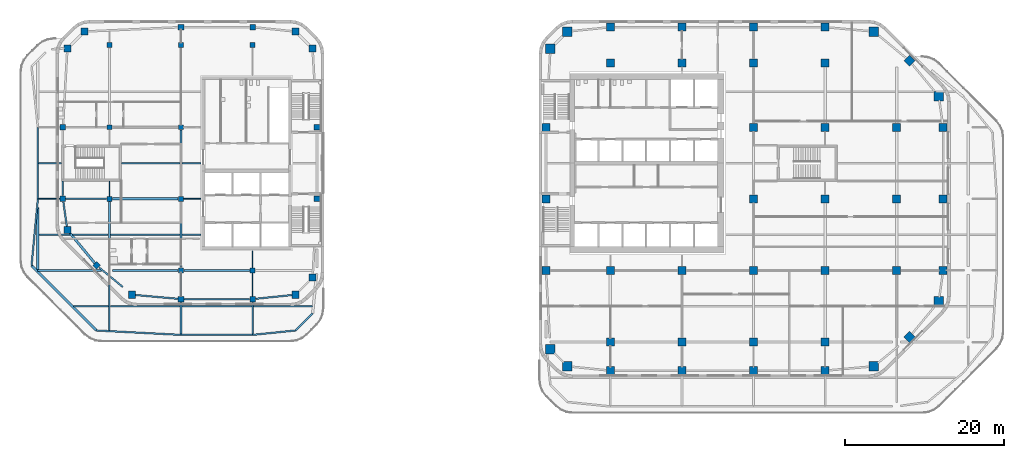
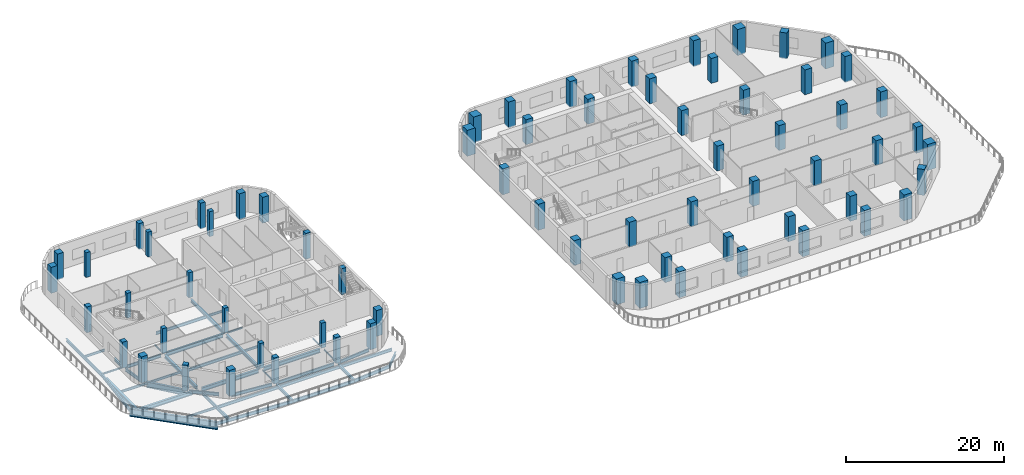
# One storey, part 1 of 15: 69 columns, 43 beams.
"""IFC4 building model written with IfcOpenShell, lengths in metres."""

from ifc_helpers import new_model, si_unit, direction, frame, origin, origin_2d, place, context, subcontext, project, spatial, rectangle, i_section, extrude, material, material_profile, profile_set, type_object, element, save


model = new_model("IFC4")

# Units and contexts
model_context = context("Model", 3, precision=1e-05, world=origin(), true_north=direction((0.0, 1.0)))
body_context = subcontext(model_context, "Body", "Model", "MODEL_VIEW")
ifc_project = project(units=[si_unit("LENGTHUNIT", "METRE"), si_unit("AREAUNIT", "SQUARE_METRE"), si_unit("VOLUMEUNIT", "CUBIC_METRE"), si_unit("PLANEANGLEUNIT", "RADIAN"), si_unit("MASSUNIT", "GRAM", prefix="KILO")], contexts=[model_context])

# Site, building, storey
site_placement = place(None, origin())
site = spatial("IfcSite", under=ifc_project, at=site_placement, CompositionType="ELEMENT")
building_placement = place(site_placement, origin())
building = spatial("IfcBuilding", under=site, at=building_placement, Name="Cinnabar Reach Civic Tower", CompositionType="ELEMENT")
storey_placement = place(building_placement, frame((0.0, 0.0, 100.0)))
storey = spatial("IfcBuildingStorey", under=building, at=storey_placement, Name="L23", CompositionType="ELEMENT", Elevation=100.0)

# Columns
ifc_material_1 = material(Name="Concrete C70", Category="concrete")
ifc_material_profile_1 = material_profile(ifc_material_1, rectangle(XDim=1.0, YDim=1.0, at=origin_2d()), Name="RC1000")
ifc_profile_set_1 = profile_set([ifc_material_profile_1], Name="Concrete C70")
column_type_1 = type_object("IfcColumnType", Name="RC1000 column R 240", PredefinedType="COLUMN", material=ifc_profile_set_1)
for number, where, z_axis, x_axis, name in (
    (1, (9.0, 5.4, -0.15), (0.0, 0.0, 1.0), (1.0, 0.0, 0.0), "Column T1-Z2-F0-1"),
    (2, (18.0, 5.4, -0.15), (0.0, 0.0, 1.0), (1.0, 0.0, 0.0), "Column T1-Z2-F0-2"),
    (3, (27.0, 5.4, -0.15), (0.0, 0.0, 1.0), (1.0, 0.0, 0.0), "Column T1-Z2-F0-3"),
    (4, (36.0, 5.4, -0.15), (0.0, 0.0, 1.0), (1.0, 0.0, 0.0), "Column T1-Z2-F0-4"),
    (5, (46.6136, 9.6364, -0.15), (0.0, 0.0, 1.0), (0.707106781187, 0.707106781187, 0.0), "Column T1-Z2-F1-M"),
    (6, (50.85, 18.0, -0.15), (0.0, 0.0, 1.0), (1.0, 0.0, 0.0), "Column T1-Z2-F2-2"),
    (7, (50.85, 27.0, -0.15), (0.0, 0.0, 1.0), (1.0, 0.0, 0.0), "Column T1-Z2-F2-3"),
    (8, (50.85, 36.0, -0.15), (0.0, 0.0, 1.0), (1.0, 0.0, 0.0), "Column T1-Z2-F2-4"),
    (9, (46.6136, 44.3636, -0.15), (0.0, 0.0, 1.0), (0.707106781187, 0.707106781187, 0.0), "Column T1-Z2-F3-M"),
    (10, (9.0, 48.6, -0.15), (0.0, 0.0, 1.0), (1.0, 0.0, 0.0), "Column T1-Z2-F4-1"),
    (11, (18.0, 48.6, -0.15), (0.0, 0.0, 1.0), (1.0, 0.0, 0.0), "Column T1-Z2-F4-2"),
    (12, (27.0, 48.6, -0.15), (0.0, 0.0, 1.0), (1.0, 0.0, 0.0), "Column T1-Z2-F4-3"),
    (13, (36.0, 48.6, -0.15), (0.0, 0.0, 1.0), (1.0, 0.0, 0.0), "Column T1-Z2-F4-4"),
):
    element("IfcColumn", number, at=place(storey_placement, frame(where, z_axis=z_axis, x_axis=x_axis)), inside=storey, type_object=column_type_1, Name=name, PredefinedType="COLUMN", context=body_context, shape_type="SweptSolid", body=[
        extrude(rectangle(XDim=1.0, YDim=1.0, at=origin_2d()), origin(), (0.0, 0.0, 1.0), 4.0),
    ])
column_placement = place(storey_placement, frame((0.9, 18.0, 0.0), z_axis=(0.0, 0.0, 1.0), x_axis=(1.0, 0.0, 0.0)))
element("IfcColumn", 14, at=column_placement, inside=storey, type_object=column_type_1, Name="Column T1-Z2-F6-2", PredefinedType="COLUMN", context=body_context, shape_type="SweptSolid", body=[
    extrude(rectangle(XDim=1.0, YDim=1.0, at=origin_2d()), origin(), (0.0, 0.0, 1.0), 3.85),
])
for number, where, z_axis, x_axis, name in (
    (15, (0.9, 27.0, 0.0), (0.0, 0.0, 1.0), (1.0, 0.0, 0.0), "Column T1-Z2-F6-3"),
    (16, (0.9, 36.0, 0.0), (0.0, 0.0, 1.0), (1.0, 0.0, 0.0), "Column T1-Z2-F6-4"),
):
    element("IfcColumn", number, at=place(storey_placement, frame(where, z_axis=z_axis, x_axis=x_axis)), inside=storey, type_object=column_type_1, Name=name, PredefinedType="COLUMN", context=body_context, shape_type="SweptSolid", body=[
        extrude(rectangle(XDim=1.0, YDim=1.0, at=origin_2d()), origin(), (0.0, 0.0, 1.0), 4.0),
    ])
for number, where, z_axis, x_axis, name in (
    (17, (9.0, 9.0, 0.0), (0.0, 0.0, 1.0), (1.0, 0.0, 0.0), "Column T1-Z2-I9_9"),
    (18, (9.0, 18.0, 0.0), (0.0, 0.0, 1.0), (1.0, 0.0, 0.0), "Column T1-Z2-I9_18"),
    (19, (9.0, 44.1, 0.0), (0.0, 0.0, 1.0), (1.0, 0.0, 0.0), "Column T1-Z2-I9_45"),
    (20, (18.0, 9.0, 0.0), (0.0, 0.0, 1.0), (1.0, 0.0, 0.0), "Column T1-Z2-I18_9"),
    (21, (18.0, 18.0, 0.0), (0.0, 0.0, 1.0), (1.0, 0.0, 0.0), "Column T1-Z2-I18_18"),
    (22, (18.0, 44.1, 0.0), (0.0, 0.0, 1.0), (1.0, 0.0, 0.0), "Column T1-Z2-I18_45"),
    (23, (27.0, 9.0, 0.0), (0.0, 0.0, 1.0), (1.0, 0.0, 0.0), "Column T1-Z2-I27_9"),
    (24, (27.0, 18.0, 0.0), (0.0, 0.0, 1.0), (1.0, 0.0, 0.0), "Column T1-Z2-I27_18"),
    (25, (27.0, 27.0, 0.0), (0.0, 0.0, 1.0), (1.0, 0.0, 0.0), "Column T1-Z2-I27_27"),
    (26, (27.0, 36.0, 0.0), (0.0, 0.0, 1.0), (1.0, 0.0, 0.0), "Column T1-Z2-I27_36"),
    (27, (27.0, 44.1, 0.0), (0.0, 0.0, 1.0), (1.0, 0.0, 0.0), "Column T1-Z2-I27_45"),
    (28, (36.0, 9.0, 0.0), (0.0, 0.0, 1.0), (1.0, 0.0, 0.0), "Column T1-Z2-I36_9"),
    (29, (36.0, 18.0, 0.0), (0.0, 0.0, 1.0), (1.0, 0.0, 0.0), "Column T1-Z2-I36_18"),
    (30, (36.0, 27.0, 0.0), (0.0, 0.0, 1.0), (1.0, 0.0, 0.0), "Column T1-Z2-I36_27"),
    (31, (36.0, 36.0, 0.0), (0.0, 0.0, 1.0), (1.0, 0.0, 0.0), "Column T1-Z2-I36_36"),
    (32, (36.0, 44.1, 0.0), (0.0, 0.0, 1.0), (1.0, 0.0, 0.0), "Column T1-Z2-I36_45"),
    (33, (45.0, 18.0, 0.0), (0.0, 0.0, 1.0), (1.0, 0.0, 0.0), "Column T1-Z2-I45_18"),
    (34, (45.0, 27.0, 0.0), (0.0, 0.0, 1.0), (1.0, 0.0, 0.0), "Column T1-Z2-I45_27"),
    (35, (45.0, 36.0, 0.0), (0.0, 0.0, 1.0), (1.0, 0.0, 0.0), "Column T1-Z2-I45_36"),
):
    element("IfcColumn", number, at=place(storey_placement, frame(where, z_axis=z_axis, x_axis=x_axis)), inside=storey, type_object=column_type_1, Name=name, PredefinedType="COLUMN", context=body_context, shape_type="SweptSolid", body=[
        extrude(rectangle(XDim=1.0, YDim=1.0, at=origin_2d()), origin(), (0.0, 0.0, 1.0), 3.85),
    ])
ifc_material_2 = material(Name="Concrete C80", Category="concrete")
ifc_material_profile_2 = material_profile(ifc_material_2, rectangle(XDim=1.2, YDim=1.2, at=origin_2d()), Name="RC1200")
ifc_profile_set_2 = profile_set([ifc_material_profile_2], Name="Concrete C80")
column_type_2 = type_object("IfcColumnType", Name="RC1200 column R 240", PredefinedType="COLUMN", material=ifc_profile_set_2)
for number, where, z_axis, x_axis, name in (
    (36, (3.6019, 5.9531, -0.15), (0.0, 0.0, 1.0), (1.0, 0.0, 0.0), "Column T1-Z2-CC0"),
    (37, (42.1481, 5.9531, -0.15), (0.0, 0.0, 1.0), (1.0, 0.0, 0.0), "Column T1-Z2-CC1"),
    (38, (50.2969, 14.1019, -0.15), (0.0, 0.0, 1.0), (1.0, 0.0, 0.0), "Column T1-Z2-CC2"),
    (39, (50.2969, 39.8981, -0.15), (0.0, 0.0, 1.0), (1.0, 0.0, 0.0), "Column T1-Z2-CC3"),
    (40, (42.1481, 48.0469, -0.15), (0.0, 0.0, 1.0), (1.0, 0.0, 0.0), "Column T1-Z2-CC4"),
    (41, (3.6019, 48.0469, -0.15), (0.0, 0.0, 1.0), (1.0, 0.0, 0.0), "Column T1-Z2-CC5"),
    (42, (1.4531, 45.8981, -0.15), (0.0, 0.0, 1.0), (1.0, 0.0, 0.0), "Column T1-Z2-CC6"),
    (43, (1.4531, 8.1019, -0.15), (0.0, 0.0, 1.0), (1.0, 0.0, 0.0), "Column T1-Z2-CC7"),
):
    element("IfcColumn", number, at=place(storey_placement, frame(where, z_axis=z_axis, x_axis=x_axis)), inside=storey, type_object=column_type_2, Name=name, PredefinedType="COLUMN", context=body_context, shape_type="SweptSolid", body=[
        extrude(rectangle(XDim=1.2, YDim=1.2, at=origin_2d()), origin(), (0.0, 0.0, 1.0), 4.0),
    ])
ifc_material_3 = material(Name="Concrete C60", Category="concrete")
ifc_material_profile_3 = material_profile(ifc_material_3, rectangle(XDim=0.6, YDim=0.6, at=origin_2d()), Name="RC600")
ifc_profile_set_3 = profile_set([ifc_material_profile_3], Name="Concrete C60")
column_type_3 = type_object("IfcColumnType", Name="RC600 column R 180", PredefinedType="COLUMN", material=ifc_profile_set_3)
for number, where, z_axis, x_axis, name in (
    (44, (-54.0, 27.0, 0.0), (0.0, 0.0, 1.0), (1.0, 0.0, 0.0), "Column T2-Z3-I-54_27"),
    (45, (-54.0, 36.0, 0.0), (0.0, 0.0, 1.0), (1.0, 0.0, 0.0), "Column T2-Z3-I-54_36"),
    (46, (-54.0, 46.35, 0.0), (0.0, 0.0, 1.0), (1.0, 0.0, 0.0), "Column T2-Z3-I-54_45"),
    (47, (-45.0, 18.0, 0.0), (0.0, 0.0, 1.0), (1.0, 0.0, 0.0), "Column T2-Z3-I-45_18"),
    (48, (-45.0, 27.0, 0.0), (0.0, 0.0, 1.0), (1.0, 0.0, 0.0), "Column T2-Z3-I-45_27"),
    (49, (-45.0, 36.0, 0.0), (0.0, 0.0, 1.0), (1.0, 0.0, 0.0), "Column T2-Z3-I-45_36"),
    (50, (-45.0, 46.35, 0.0), (0.0, 0.0, 1.0), (1.0, 0.0, 0.0), "Column T2-Z3-I-45_45"),
    (51, (-36.0, 18.0, 0.0), (0.0, 0.0, 1.0), (1.0, 0.0, 0.0), "Column T2-Z3-I-36_18"),
    (52, (-36.0, 46.35, 0.0), (0.0, 0.0, 1.0), (1.0, 0.0, 0.0), "Column T2-Z3-I-36_45"),
):
    element("IfcColumn", number, at=place(storey_placement, frame(where, z_axis=z_axis, x_axis=x_axis)), inside=storey, type_object=column_type_3, Name=name, PredefinedType="COLUMN", context=body_context, shape_type="SweptSolid", body=[
        extrude(rectangle(XDim=0.6, YDim=0.6, at=origin_2d()), origin(), (0.0, 0.0, 1.0), 3.85),
    ])
ifc_material_profile_4 = material_profile(ifc_material_3, rectangle(XDim=0.7, YDim=0.7, at=origin_2d()), Name="RC700")
ifc_profile_set_4 = profile_set([ifc_material_profile_4], Name="Concrete C60")
column_type_4 = type_object("IfcColumnType", Name="RC700 column R 180", PredefinedType="COLUMN", material=ifc_profile_set_4)
for number, where, z_axis, x_axis, name in (
    (53, (-45.0, 14.4, -0.15), (0.0, 0.0, 1.0), (1.0, 0.0, 0.0), "Column T2-Z3-F0--5"),
    (54, (-36.0, 14.4, -0.15), (0.0, 0.0, 1.0), (1.0, 0.0, 0.0), "Column T2-Z3-F0--4"),
    (55, (-27.9, 27.0, 0.0), (0.0, 0.0, 1.0), (1.0, 0.0, 0.0), "Column T2-Z3-F2-3"),
    (56, (-27.9, 36.0, 0.0), (0.0, 0.0, 1.0), (1.0, 0.0, 0.0), "Column T2-Z3-F2-4"),
    (57, (-45.0, 48.6, -0.15), (0.0, 0.0, 1.0), (1.0, 0.0, 0.0), "Column T2-Z3-F4--5"),
    (58, (-36.0, 48.6, -0.15), (0.0, 0.0, 1.0), (1.0, 0.0, 0.0), "Column T2-Z3-F4--4"),
    (59, (-59.85, 27.0, -0.15), (0.0, 0.0, 1.0), (1.0, 0.0, 0.0), "Column T2-Z3-F6-3"),
    (60, (-59.85, 36.0, -0.15), (0.0, 0.0, 1.0), (1.0, 0.0, 0.0), "Column T2-Z3-F6-4"),
    (61, (-55.6136, 18.6364, -0.15), (0.0, 0.0, 1.0), (0.707106781187, 0.707106781187, 0.0), "Column T2-Z3-F7-M"),
):
    element("IfcColumn", number, at=place(storey_placement, frame(where, z_axis=z_axis, x_axis=x_axis)), inside=storey, type_object=column_type_4, Name=name, PredefinedType="COLUMN", context=body_context, shape_type="SweptSolid", body=[
        extrude(rectangle(XDim=0.7, YDim=0.7, at=origin_2d()), origin(), (0.0, 0.0, 1.0), 4.0),
    ])
ifc_material_profile_5 = material_profile(ifc_material_1, rectangle(XDim=0.9, YDim=0.9, at=origin_2d()), Name="RC900")
ifc_profile_set_5 = profile_set([ifc_material_profile_5], Name="Concrete C70")
column_type_5 = type_object("IfcColumnType", Name="RC900 column R 180", PredefinedType="COLUMN", material=ifc_profile_set_5)
for number, where, z_axis, x_axis, name in (
    (62, (-51.1481, 14.9531, -0.15), (0.0, 0.0, 1.0), (1.0, 0.0, 0.0), "Column T2-Z3-CC0"),
    (63, (-30.6019, 14.9531, -0.15), (0.0, 0.0, 1.0), (1.0, 0.0, 0.0), "Column T2-Z3-CC1"),
    (64, (-28.4531, 17.1019, -0.15), (0.0, 0.0, 1.0), (1.0, 0.0, 0.0), "Column T2-Z3-CC2"),
    (65, (-28.4531, 45.8981, -0.15), (0.0, 0.0, 1.0), (1.0, 0.0, 0.0), "Column T2-Z3-CC3"),
    (66, (-30.6019, 48.0469, -0.15), (0.0, 0.0, 1.0), (1.0, 0.0, 0.0), "Column T2-Z3-CC4"),
    (67, (-57.1481, 48.0469, -0.15), (0.0, 0.0, 1.0), (1.0, 0.0, 0.0), "Column T2-Z3-CC5"),
    (68, (-59.2969, 45.8981, -0.15), (0.0, 0.0, 1.0), (1.0, 0.0, 0.0), "Column T2-Z3-CC6"),
    (69, (-59.2969, 23.1019, -0.15), (0.0, 0.0, 1.0), (1.0, 0.0, 0.0), "Column T2-Z3-CC7"),
):
    element("IfcColumn", number, at=place(storey_placement, frame(where, z_axis=z_axis, x_axis=x_axis)), inside=storey, type_object=column_type_5, Name=name, PredefinedType="COLUMN", context=body_context, shape_type="SweptSolid", body=[
        extrude(rectangle(XDim=0.9, YDim=0.9, at=origin_2d()), origin(), (0.0, 0.0, 1.0), 4.0),
    ])

# Beams
ifc_material_4 = material(Name="Steel Q355B", Category="steel")
ifc_material_profile_6 = material_profile(ifc_material_4, i_section(OverallWidth=0.3, OverallDepth=0.488, WebThickness=0.011, FlangeThickness=0.018, FilletRadius=0.016, at=origin_2d()), Name="HM488x300x11x18")
ifc_profile_set_6 = profile_set([ifc_material_profile_6], Name="Steel Q355B")
beam_type_1 = type_object("IfcBeamType", Name="HM488x300x11x18 beam R 120", PredefinedType="BEAM", material=ifc_profile_set_6)
beam_1_placement = place(storey_placement, frame((-63.0, 18.152, -0.394), z_axis=(0.0, 1.0, 0.0), x_axis=(-1.0, 0.0, 0.0)))
element("IfcBeam", 70, at=beam_1_placement, inside=storey, type_object=beam_type_1, Name="Girder T2 L23 1", PredefinedType="BEAM", context=body_context, shape_type="SweptSolid", body=[
    extrude(i_section(OverallWidth=0.3, OverallDepth=0.488, WebThickness=0.011, FlangeThickness=0.018, FilletRadius=0.016, at=origin_2d()), origin(), (0.0, 0.0, 1.0), 7.7682),
])
beam_2_placement = place(storey_placement, frame((-54.0, 18.4778, -0.394), z_axis=(0.0, 1.0, 0.0), x_axis=(-1.0, 0.0, 0.0)))
element("IfcBeam", 71, at=beam_2_placement, inside=storey, type_object=beam_type_1, Name="Girder T2 L23 4", PredefinedType="BEAM", context=body_context, shape_type="SweptSolid", body=[
    extrude(i_section(OverallWidth=0.3, OverallDepth=0.488, WebThickness=0.011, FlangeThickness=0.018, FilletRadius=0.016, at=origin_2d()), origin(), (0.0, 0.0, 1.0), 8.1702),
])
for number, where, z_axis, x_axis, name in (
    (72, (-45.0, 18.352, -0.394), (0.0, 1.0, 0.0), (-1.0, 0.0, 0.0), "Girder T2 L23 11"),
    (73, (-45.0, 27.352, -0.394), (0.0, 1.0, 0.0), (-1.0, 0.0, 0.0), "Girder T2 L23 12"),
):
    element("IfcBeam", number, at=place(storey_placement, frame(where, z_axis=z_axis, x_axis=x_axis)), inside=storey, type_object=beam_type_1, Name=name, PredefinedType="BEAM", context=body_context, shape_type="SweptSolid", body=[
        extrude(i_section(OverallWidth=0.3, OverallDepth=0.488, WebThickness=0.011, FlangeThickness=0.018, FilletRadius=0.016, at=origin_2d()), origin(), (0.0, 0.0, 1.0), 8.296),
    ])
ifc_material_profile_7 = material_profile(ifc_material_4, i_section(OverallWidth=0.3, OverallDepth=0.588, WebThickness=0.012, FlangeThickness=0.02, FilletRadius=0.016, at=origin_2d()), Name="HM588x300x12x20")
ifc_profile_set_7 = profile_set([ifc_material_profile_7], Name="Steel Q355B")
beam_type_2 = type_object("IfcBeamType", Name="HM588x300x12x20 beam R 120", PredefinedType="BEAM", material=ifc_profile_set_7)
beam_3_placement = place(storey_placement, frame((-63.0508, 18.0, -0.444), z_axis=(1.0, 0.0, 0.0), x_axis=(0.0, 1.0, 0.0)))
element("IfcBeam", 74, at=beam_3_placement, inside=storey, type_object=beam_type_2, Name="Girder T2 L23 1", PredefinedType="BEAM", context=body_context, shape_type="SweptSolid", body=[
    extrude(i_section(OverallWidth=0.3, OverallDepth=0.588, WebThickness=0.012, FlangeThickness=0.02, FilletRadius=0.016, at=origin_2d()), origin(), (0.0, 0.0, 1.0), 8.0484),
])
for number, where, z_axis, x_axis, name in (
    (75, (-53.648, 18.0, -0.444), (1.0, 0.0, 0.0), (0.0, 1.0, 0.0), "Girder T2 L23 2"),
    (76, (-44.648, 18.0, -0.444), (1.0, 0.0, 0.0), (0.0, 1.0, 0.0), "Girder T2 L23 3"),
    (77, (-53.648, 27.0, -0.444), (1.0, 0.0, 0.0), (0.0, 1.0, 0.0), "Girder T2 L23 7"),
):
    element("IfcBeam", number, at=place(storey_placement, frame(where, z_axis=z_axis, x_axis=x_axis)), inside=storey, type_object=beam_type_2, Name=name, PredefinedType="BEAM", context=body_context, shape_type="SweptSolid", body=[
        extrude(i_section(OverallWidth=0.3, OverallDepth=0.588, WebThickness=0.012, FlangeThickness=0.02, FilletRadius=0.016, at=origin_2d()), origin(), (0.0, 0.0, 1.0), 8.296),
    ])
ifc_material_profile_8 = material_profile(ifc_material_4, i_section(OverallWidth=0.099, OverallDepth=0.198, WebThickness=0.0045, FlangeThickness=0.007, FilletRadius=0.013, at=origin_2d()), Name="HN200x100x5.5x8")
ifc_profile_set_8 = profile_set([ifc_material_profile_8], Name="Steel Q355B")
beam_type_3 = type_object("IfcBeamType", Name="HN200x100x5.5x8 beam R 120", PredefinedType="BEAM", material=ifc_profile_set_8)
beam_4_placement = place(storey_placement, frame((-54.0, 27.352, -0.249), z_axis=(0.0, 1.0, 0.0), x_axis=(-1.0, 0.0, 0.0)))
element("IfcBeam", 78, at=beam_4_placement, inside=storey, type_object=beam_type_3, Name="Girder T2 L23 5", PredefinedType="BEAM", context=body_context, shape_type="SweptSolid", body=[
    extrude(i_section(OverallWidth=0.099, OverallDepth=0.198, WebThickness=0.0045, FlangeThickness=0.007, FilletRadius=0.013, at=origin_2d()), origin(), (0.0, 0.0, 1.0), 1.896),
])
for number, where, z_axis, x_axis, name in (
    (79, (-45.0, 14.652, -0.249), (0.0, 1.0, 0.0), (-1.0, 0.0, 0.0), "Girder T2 L23 10"),
    (80, (-36.0, 14.652, -0.249), (0.0, 1.0, 0.0), (-1.0, 0.0, 0.0), "Girder T2 L23 15"),
):
    element("IfcBeam", number, at=place(storey_placement, frame(where, z_axis=z_axis, x_axis=x_axis)), inside=storey, type_object=beam_type_3, Name=name, PredefinedType="BEAM", context=body_context, shape_type="SweptSolid", body=[
        extrude(i_section(OverallWidth=0.099, OverallDepth=0.198, WebThickness=0.0045, FlangeThickness=0.007, FilletRadius=0.013, at=origin_2d()), origin(), (0.0, 0.0, 1.0), 2.996),
    ])
beam_5_placement = place(storey_placement, frame((-36.0, 18.352, -0.249), z_axis=(0.0, 1.0, 0.0), x_axis=(-1.0, 0.0, 0.0)))
element("IfcBeam", 81, at=beam_5_placement, inside=storey, type_object=beam_type_3, Name="Girder T2 L23 16", PredefinedType="BEAM", context=body_context, shape_type="SweptSolid", body=[
    extrude(i_section(OverallWidth=0.099, OverallDepth=0.198, WebThickness=0.0045, FlangeThickness=0.007, FilletRadius=0.013, at=origin_2d()), origin(), (0.0, 0.0, 1.0), 2.146),
])
ifc_material_profile_9 = material_profile(ifc_material_4, i_section(OverallWidth=0.124, OverallDepth=0.248, WebThickness=0.005, FlangeThickness=0.008, FilletRadius=0.013, at=origin_2d()), Name="HN250x125x6x9")
ifc_profile_set_9 = profile_set([ifc_material_profile_9], Name="Steel Q355B")
beam_type_4 = type_object("IfcBeamType", Name="HN250x125x6x9 beam R 120", PredefinedType="BEAM", material=ifc_profile_set_9)
beam_6_placement = place(storey_placement, frame((-62.898, 27.0, -0.274), z_axis=(1.0, 0.0, 0.0), x_axis=(0.0, 1.0, 0.0)))
element("IfcBeam", 82, at=beam_6_placement, inside=storey, type_object=beam_type_4, Name="Girder T2 L23 5", PredefinedType="BEAM", context=body_context, shape_type="SweptSolid", body=[
    extrude(i_section(OverallWidth=0.124, OverallDepth=0.248, WebThickness=0.005, FlangeThickness=0.008, FilletRadius=0.013, at=origin_2d()), origin(), (0.0, 0.0, 1.0), 2.796),
])
beam_7_placement = place(storey_placement, frame((-44.648, 27.0, -0.274), z_axis=(1.0, 0.0, 0.0), x_axis=(0.0, 1.0, 0.0)))
element("IfcBeam", 83, at=beam_7_placement, inside=storey, type_object=beam_type_4, Name="Girder T2 L23 8", PredefinedType="BEAM", context=body_context, shape_type="SweptSolid", body=[
    extrude(i_section(OverallWidth=0.124, OverallDepth=0.248, WebThickness=0.005, FlangeThickness=0.008, FilletRadius=0.013, at=origin_2d()), origin(), (0.0, 0.0, 1.0), 2.146),
])
ifc_material_profile_10 = material_profile(ifc_material_4, i_section(OverallWidth=0.175, OverallDepth=0.35, WebThickness=0.007, FlangeThickness=0.011, FilletRadius=0.013, at=origin_2d()), Name="HN350x175x7x11")
ifc_profile_set_10 = profile_set([ifc_material_profile_10], Name="Steel Q355B")
beam_type_5 = type_object("IfcBeamType", Name="HN350x175x7x11 beam R 120", PredefinedType="BEAM", material=ifc_profile_set_10)
beam_8_placement = place(storey_placement, frame((-58.5508, 13.5, -0.325), z_axis=(1.0, 0.0, 0.0), x_axis=(0.0, 1.0, 0.0)))
element("IfcBeam", 84, at=beam_8_placement, inside=storey, type_object=beam_type_5, Name="Secondary beam T2 L23 1", PredefinedType="BEAM", context=body_context, shape_type="SweptSolid", body=[
    extrude(i_section(OverallWidth=0.175, OverallDepth=0.35, WebThickness=0.007, FlangeThickness=0.011, FilletRadius=0.013, at=origin_2d()), origin(), (0.0, 0.0, 1.0), 4.4488),
])
beam_9_placement = place(storey_placement, frame((-62.848, 22.5, -0.325), z_axis=(1.0, 0.0, 0.0), x_axis=(0.0, 1.0, 0.0)))
element("IfcBeam", 85, at=beam_9_placement, inside=storey, type_object=beam_type_5, Name="Secondary beam T2 L23 5", PredefinedType="BEAM", context=body_context, shape_type="SweptSolid", body=[
    extrude(i_section(OverallWidth=0.175, OverallDepth=0.35, WebThickness=0.007, FlangeThickness=0.011, FilletRadius=0.013, at=origin_2d()), origin(), (0.0, 0.0, 1.0), 3.9153),
])
beam_10_placement = place(storey_placement, frame((-58.6682, 22.5, -0.325), z_axis=(1.0, 0.0, 0.0), x_axis=(0.0, 1.0, 0.0)))
element("IfcBeam", 86, at=beam_10_placement, inside=storey, type_object=beam_type_5, Name="Secondary beam T2 L23 6", PredefinedType="BEAM", context=body_context, shape_type="SweptSolid", body=[
    extrude(i_section(OverallWidth=0.175, OverallDepth=0.35, WebThickness=0.007, FlangeThickness=0.011, FilletRadius=0.013, at=origin_2d()), origin(), (0.0, 0.0, 1.0), 4.5162),
])
beam_11_placement = place(storey_placement, frame((-44.848, 22.5, -0.325), z_axis=(1.0, 0.0, 0.0), x_axis=(0.0, 1.0, 0.0)))
element("IfcBeam", 87, at=beam_11_placement, inside=storey, type_object=beam_type_5, Name="Secondary beam T2 L23 8", PredefinedType="BEAM", context=body_context, shape_type="SweptSolid", body=[
    extrude(i_section(OverallWidth=0.175, OverallDepth=0.35, WebThickness=0.007, FlangeThickness=0.011, FilletRadius=0.013, at=origin_2d()), origin(), (0.0, 0.0, 1.0), 2.346),
])
beam_12_placement = place(storey_placement, frame((-62.898, 31.5, -0.325), z_axis=(1.0, 0.0, 0.0), x_axis=(0.0, 1.0, 0.0)))
element("IfcBeam", 88, at=beam_12_placement, inside=storey, type_object=beam_type_5, Name="Secondary beam T2 L23 9", PredefinedType="BEAM", context=body_context, shape_type="SweptSolid", body=[
    extrude(i_section(OverallWidth=0.175, OverallDepth=0.35, WebThickness=0.007, FlangeThickness=0.011, FilletRadius=0.013, at=origin_2d()), origin(), (0.0, 0.0, 1.0), 2.896),
])
beam_13_placement = place(storey_placement, frame((-44.848, 31.5, -0.325), z_axis=(1.0, 0.0, 0.0), x_axis=(0.0, 1.0, 0.0)))
element("IfcBeam", 89, at=beam_13_placement, inside=storey, type_object=beam_type_5, Name="Secondary beam T2 L23 11", PredefinedType="BEAM", context=body_context, shape_type="SweptSolid", body=[
    extrude(i_section(OverallWidth=0.175, OverallDepth=0.35, WebThickness=0.007, FlangeThickness=0.011, FilletRadius=0.013, at=origin_2d()), origin(), (0.0, 0.0, 1.0), 2.346),
])
ifc_material_profile_11 = material_profile(ifc_material_4, i_section(OverallWidth=0.2, OverallDepth=0.45, WebThickness=0.009, FlangeThickness=0.014, FilletRadius=0.016, at=origin_2d()), Name="HN450x200x9x14")
ifc_profile_set_11 = profile_set([ifc_material_profile_11], Name="Steel Q355B")
beam_type_6 = type_object("IfcBeamType", Name="HN450x200x9x14 beam R 120", PredefinedType="BEAM", material=ifc_profile_set_11)
for number, where, z_axis, x_axis, name in (
    (90, (-53.898, 13.5, -0.375), (1.0, 0.0, 0.0), (0.0, 1.0, 0.0), "Secondary beam T2 L23 2"),
    (91, (-44.898, 13.5, -0.375), (1.0, 0.0, 0.0), (0.0, 1.0, 0.0), "Secondary beam T2 L23 3"),
):
    element("IfcBeam", number, at=place(storey_placement, frame(where, z_axis=z_axis, x_axis=x_axis)), inside=storey, type_object=beam_type_6, Name=name, PredefinedType="BEAM", context=body_context, shape_type="SweptSolid", body=[
        extrude(i_section(OverallWidth=0.2, OverallDepth=0.45, WebThickness=0.009, FlangeThickness=0.014, FilletRadius=0.016, at=origin_2d()), origin(), (0.0, 0.0, 1.0), 8.796),
    ])
beam_14_placement = place(storey_placement, frame((-35.898, 13.5, -0.375), z_axis=(1.0, 0.0, 0.0), x_axis=(0.0, 1.0, 0.0)))
element("IfcBeam", 92, at=beam_14_placement, inside=storey, type_object=beam_type_6, Name="Secondary beam T2 L23 4", PredefinedType="BEAM", context=body_context, shape_type="SweptSolid", body=[
    extrude(i_section(OverallWidth=0.2, OverallDepth=0.45, WebThickness=0.009, FlangeThickness=0.014, FilletRadius=0.016, at=origin_2d()), origin(), (0.0, 0.0, 1.0), 7.4344),
])
beam_15_placement = place(storey_placement, frame((-53.848, 22.5, -0.375), z_axis=(1.0, 0.0, 0.0), x_axis=(0.0, 1.0, 0.0)))
element("IfcBeam", 93, at=beam_15_placement, inside=storey, type_object=beam_type_6, Name="Secondary beam T2 L23 7", PredefinedType="BEAM", context=body_context, shape_type="SweptSolid", body=[
    extrude(i_section(OverallWidth=0.2, OverallDepth=0.45, WebThickness=0.009, FlangeThickness=0.014, FilletRadius=0.016, at=origin_2d()), origin(), (0.0, 0.0, 1.0), 8.696),
])
beam_16_placement = place(storey_placement, frame((-52.498, 31.5, -0.375), z_axis=(1.0, 0.0, 0.0), x_axis=(0.0, 1.0, 0.0)))
element("IfcBeam", 94, at=beam_16_placement, inside=storey, type_object=beam_type_6, Name="Secondary beam T2 L23 10", PredefinedType="BEAM", context=body_context, shape_type="SweptSolid", body=[
    extrude(i_section(OverallWidth=0.2, OverallDepth=0.45, WebThickness=0.009, FlangeThickness=0.014, FilletRadius=0.016, at=origin_2d()), origin(), (0.0, 0.0, 1.0), 7.346),
])
ifc_material_profile_12 = material_profile(ifc_material_4, i_section(OverallWidth=0.2, OverallDepth=0.5, WebThickness=0.01, FlangeThickness=0.016, FilletRadius=0.016, at=origin_2d()), Name="HN500x200x10x16")
ifc_profile_set_12 = profile_set([ifc_material_profile_12], Name="Steel Q355B")
beam_type_7 = type_object("IfcBeamType", Name="HN500x200x10x16 beam R 120", PredefinedType="BEAM", material=ifc_profile_set_12)
beam_17_placement = place(storey_placement, frame((-51.0799, 14.947, -0.4), z_axis=(0.995977742495, -0.089600984672, 0.0), x_axis=(0.089600984672, 0.995977742495, 0.0)))
element("IfcBeam", 95, at=beam_17_placement, inside=storey, type_object=beam_type_7, Name="Edge beam T2 L23 1", PredefinedType="BEAM", context=body_context, shape_type="SweptSolid", body=[
    extrude(i_section(OverallWidth=0.2, OverallDepth=0.5, WebThickness=0.01, FlangeThickness=0.016, FilletRadius=0.016, at=origin_2d()), origin(), (0.0, 0.0, 1.0), 5.7008),
])
beam_18_placement = place(storey_placement, frame((-44.598, 14.4, -0.4), z_axis=(1.0, 0.0, 0.0), x_axis=(0.0, 1.0, 0.0)))
element("IfcBeam", 96, at=beam_18_placement, inside=storey, type_object=beam_type_7, Name="Edge beam T2 L23 2", PredefinedType="BEAM", context=body_context, shape_type="SweptSolid", body=[
    extrude(i_section(OverallWidth=0.2, OverallDepth=0.5, WebThickness=0.01, FlangeThickness=0.016, FilletRadius=0.016, at=origin_2d()), origin(), (0.0, 0.0, 1.0), 8.196),
])
beam_19_placement = place(storey_placement, frame((-35.598, 14.4412, -0.4), z_axis=(0.994791084875, 0.101934770579, 0.0), x_axis=(-0.101934770579, 0.994791084875, 0.0)))
element("IfcBeam", 97, at=beam_19_placement, inside=storey, type_object=beam_type_7, Name="Edge beam T2 L23 3", PredefinedType="BEAM", context=body_context, shape_type="SweptSolid", body=[
    extrude(i_section(OverallWidth=0.2, OverallDepth=0.5, WebThickness=0.01, FlangeThickness=0.016, FilletRadius=0.016, at=origin_2d()), origin(), (0.0, 0.0, 1.0), 4.6383),
])
beam_20_placement = place(storey_placement, frame((-59.85, 29.248, -0.4), z_axis=(0.0, -1.0, 0.0), x_axis=(1.0, 0.0, 0.0)))
element("IfcBeam", 98, at=beam_20_placement, inside=storey, type_object=beam_type_7, Name="Edge beam T2 L23 15", PredefinedType="BEAM", context=body_context, shape_type="SweptSolid", body=[
    extrude(i_section(OverallWidth=0.2, OverallDepth=0.5, WebThickness=0.01, FlangeThickness=0.016, FilletRadius=0.016, at=origin_2d()), origin(), (0.0, 0.0, 1.0), 1.846),
])
beam_21_placement = place(storey_placement, frame((-59.793, 26.598, -0.4), z_axis=(0.140495467728, -0.990081321684, 0.0), x_axis=(0.990081321684, 0.140495467728, 0.0)))
element("IfcBeam", 99, at=beam_21_placement, inside=storey, type_object=beam_type_7, Name="Edge beam T2 L23 16", PredefinedType="BEAM", context=body_context, shape_type="SweptSolid", body=[
    extrude(i_section(OverallWidth=0.2, OverallDepth=0.5, WebThickness=0.01, FlangeThickness=0.016, FilletRadius=0.016, at=origin_2d()), origin(), (0.0, 0.0, 1.0), 3.1453),
])
beam_22_placement = place(storey_placement, frame((-55.2673, 18.3508, -0.4), z_axis=(0.771425019302, -0.636320233527, 0.0), x_axis=(0.636320233527, 0.771425019302, 0.0)))
element("IfcBeam", 100, at=beam_22_placement, inside=storey, type_object=beam_type_7, Name="Edge beam T2 L23 18", PredefinedType="BEAM", context=body_context, shape_type="SweptSolid", body=[
    extrude(i_section(OverallWidth=0.2, OverallDepth=0.5, WebThickness=0.01, FlangeThickness=0.016, FilletRadius=0.016, at=origin_2d()), origin(), (0.0, 0.0, 1.0), 3.8185),
])
beam_23_placement = place(storey_placement, frame((-55.6481, 10.4531, -0.4), z_axis=(0.99865365821, -0.051873605465, 0.0), x_axis=(0.051873605465, 0.99865365821, 0.0)))
element("IfcBeam", 101, at=beam_23_placement, inside=storey, type_object=beam_type_7, Name="Edge beam T2 L23 19", PredefinedType="BEAM", context=body_context, shape_type="SweptSolid", body=[
    extrude(i_section(OverallWidth=0.2, OverallDepth=0.5, WebThickness=0.01, FlangeThickness=0.016, FilletRadius=0.016, at=origin_2d()), origin(), (0.0, 0.0, 1.0), 10.6625),
])
beam_24_placement = place(storey_placement, frame((-45.0, 9.9, -0.4), z_axis=(1.0, 0.0, 0.0), x_axis=(0.0, 1.0, 0.0)))
element("IfcBeam", 102, at=beam_24_placement, inside=storey, type_object=beam_type_7, Name="Edge beam T2 L23 20", PredefinedType="BEAM", context=body_context, shape_type="SweptSolid", body=[
    extrude(i_section(OverallWidth=0.2, OverallDepth=0.5, WebThickness=0.01, FlangeThickness=0.016, FilletRadius=0.016, at=origin_2d()), origin(), (0.0, 0.0, 1.0), 9.0),
])
beam_25_placement = place(storey_placement, frame((-36.0, 9.9, -0.4), z_axis=(0.994791744888, 0.101928329245, 0.0), x_axis=(-0.101928329245, 0.994791744888, 0.0)))
element("IfcBeam", 103, at=beam_25_placement, inside=storey, type_object=beam_type_7, Name="Edge beam T2 L23 21", PredefinedType="BEAM", context=body_context, shape_type="SweptSolid", body=[
    extrude(i_section(OverallWidth=0.2, OverallDepth=0.5, WebThickness=0.01, FlangeThickness=0.016, FilletRadius=0.016, at=origin_2d()), origin(), (0.0, 0.0, 1.0), 5.4264),
])
beam_26_placement = place(storey_placement, frame((-30.6019, 10.4531, -0.4), z_axis=(0.707106781187, 0.707106781187, 0.0), x_axis=(-0.707106781187, 0.707106781187, 0.0)))
element("IfcBeam", 104, at=beam_26_placement, inside=storey, type_object=beam_type_7, Name="Edge beam T2 L23 22", PredefinedType="BEAM", context=body_context, shape_type="SweptSolid", body=[
    extrude(i_section(OverallWidth=0.2, OverallDepth=0.5, WebThickness=0.01, FlangeThickness=0.016, FilletRadius=0.016, at=origin_2d()), origin(), (0.0, 0.0, 1.0), 3.0389),
])
beam_27_placement = place(storey_placement, frame((-63.0, 36.0, -0.4), z_axis=(0.0, -1.0, 0.0), x_axis=(1.0, 0.0, 0.0)))
element("IfcBeam", 105, at=beam_27_placement, inside=storey, type_object=beam_type_7, Name="Edge beam T2 L23 28", PredefinedType="BEAM", context=body_context, shape_type="SweptSolid", body=[
    extrude(i_section(OverallWidth=0.2, OverallDepth=0.5, WebThickness=0.01, FlangeThickness=0.016, FilletRadius=0.016, at=origin_2d()), origin(), (0.0, 0.0, 1.0), 9.0),
])
beam_28_placement = place(storey_placement, frame((-63.0, 27.0, -0.4), z_axis=(-0.094466167467, -0.995528072534, 0.0), x_axis=(0.995528072534, -0.094466167467, 0.0)))
element("IfcBeam", 106, at=beam_28_placement, inside=storey, type_object=beam_type_7, Name="Edge beam T2 L23 29", PredefinedType="BEAM", context=body_context, shape_type="SweptSolid", body=[
    extrude(i_section(OverallWidth=0.2, OverallDepth=0.5, WebThickness=0.01, FlangeThickness=0.016, FilletRadius=0.016, at=origin_2d()), origin(), (0.0, 0.0, 1.0), 8.4358),
])
beam_29_placement = place(storey_placement, frame((-59.598, 27.0, -0.4), z_axis=(1.0, 0.0, 0.0), x_axis=(0.0, 1.0, 0.0)))
element("IfcBeam", 107, at=beam_29_placement, inside=storey, type_object=beam_type_7, Name="Girder T2 L23 6", PredefinedType="BEAM", context=body_context, shape_type="SweptSolid", body=[
    extrude(i_section(OverallWidth=0.2, OverallDepth=0.5, WebThickness=0.01, FlangeThickness=0.016, FilletRadius=0.016, at=origin_2d()), origin(), (0.0, 0.0, 1.0), 5.246),
])
beam_30_placement = place(storey_placement, frame((-54.0, 10.4696, -0.4), z_axis=(0.0, 1.0, 0.0), x_axis=(-1.0, 0.0, 0.0)))
element("IfcBeam", 108, at=beam_30_placement, inside=storey, type_object=beam_type_7, Name="Girder T2 L23 3", PredefinedType="BEAM", context=body_context, shape_type="SweptSolid", body=[
    extrude(i_section(OverallWidth=0.2, OverallDepth=0.5, WebThickness=0.01, FlangeThickness=0.016, FilletRadius=0.016, at=origin_2d()), origin(), (0.0, 0.0, 1.0), 6.7036),
])
beam_31_placement = place(storey_placement, frame((-45.0, 10.0021, -0.4), z_axis=(0.0, 1.0, 0.0), x_axis=(-1.0, 0.0, 0.0)))
element("IfcBeam", 109, at=beam_31_placement, inside=storey, type_object=beam_type_7, Name="Girder T2 L23 9", PredefinedType="BEAM", context=body_context, shape_type="SweptSolid", body=[
    extrude(i_section(OverallWidth=0.2, OverallDepth=0.5, WebThickness=0.01, FlangeThickness=0.016, FilletRadius=0.016, at=origin_2d()), origin(), (0.0, 0.0, 1.0), 4.1459),
])
beam_32_placement = place(storey_placement, frame((-36.0, 10.0025, -0.4), z_axis=(0.0, 1.0, 0.0), x_axis=(-1.0, 0.0, 0.0)))
element("IfcBeam", 110, at=beam_32_placement, inside=storey, type_object=beam_type_7, Name="Girder T2 L23 14", PredefinedType="BEAM", context=body_context, shape_type="SweptSolid", body=[
    extrude(i_section(OverallWidth=0.2, OverallDepth=0.5, WebThickness=0.01, FlangeThickness=0.016, FilletRadius=0.016, at=origin_2d()), origin(), (0.0, 0.0, 1.0), 4.1455),
])
ifc_material_profile_13 = material_profile(ifc_material_4, i_section(OverallWidth=0.3, OverallDepth=1.2, WebThickness=0.02, FlangeThickness=0.032, at=origin_2d()), Name="BH1200x300x20x32")
ifc_profile_set_13 = profile_set([ifc_material_profile_13], Name="Steel Q355B")
beam_type_8 = type_object("IfcBeamType", Name="TRANSFER BH1200x300x20x32 R 180", PredefinedType="BEAM", material=ifc_profile_set_13)
beam_33_placement = place(storey_placement, frame((-63.7969, 18.6019, -0.75), z_axis=(0.707106781187, -0.707106781187, 0.0), x_axis=(0.707106781187, 0.707106781187, 0.0)))
element("IfcBeam", 111, at=beam_33_placement, inside=storey, type_object=beam_type_8, Name="Edge beam T2 L23 30", PredefinedType="BEAM", context=body_context, shape_type="SweptSolid", body=[
    extrude(i_section(OverallWidth=0.3, OverallDepth=1.2, WebThickness=0.02, FlangeThickness=0.032, at=origin_2d()), origin(), (0.0, 0.0, 1.0), 11.5241),
])
ifc_material_profile_14 = material_profile(ifc_material_4, i_section(OverallWidth=0.3, OverallDepth=0.9, WebThickness=0.016, FlangeThickness=0.028, FilletRadius=0.02, at=origin_2d()), Name="HN900x300x16x28")
ifc_profile_set_14 = profile_set([ifc_material_profile_14], Name="Steel Q355B")
beam_type_9 = type_object("IfcBeamType", Name="TRANSFER HN900x300x16x28 R 180", PredefinedType="BEAM", material=ifc_profile_set_14)
beam_34_placement = place(storey_placement, frame((-58.9818, 22.7199, -0.6), z_axis=(0.636309572571, -0.77143381301, 0.0), x_axis=(0.77143381301, 0.636309572571, 0.0)))
element("IfcBeam", 112, at=beam_34_placement, inside=storey, type_object=beam_type_9, Name="Edge beam T2 L23 17", PredefinedType="BEAM", context=body_context, shape_type="SweptSolid", body=[
    extrude(i_section(OverallWidth=0.3, OverallDepth=0.9, WebThickness=0.016, FlangeThickness=0.028, FilletRadius=0.02, at=origin_2d()), origin(), (0.0, 0.0, 1.0), 5.2707),
])

save(model, "model.ifc")
